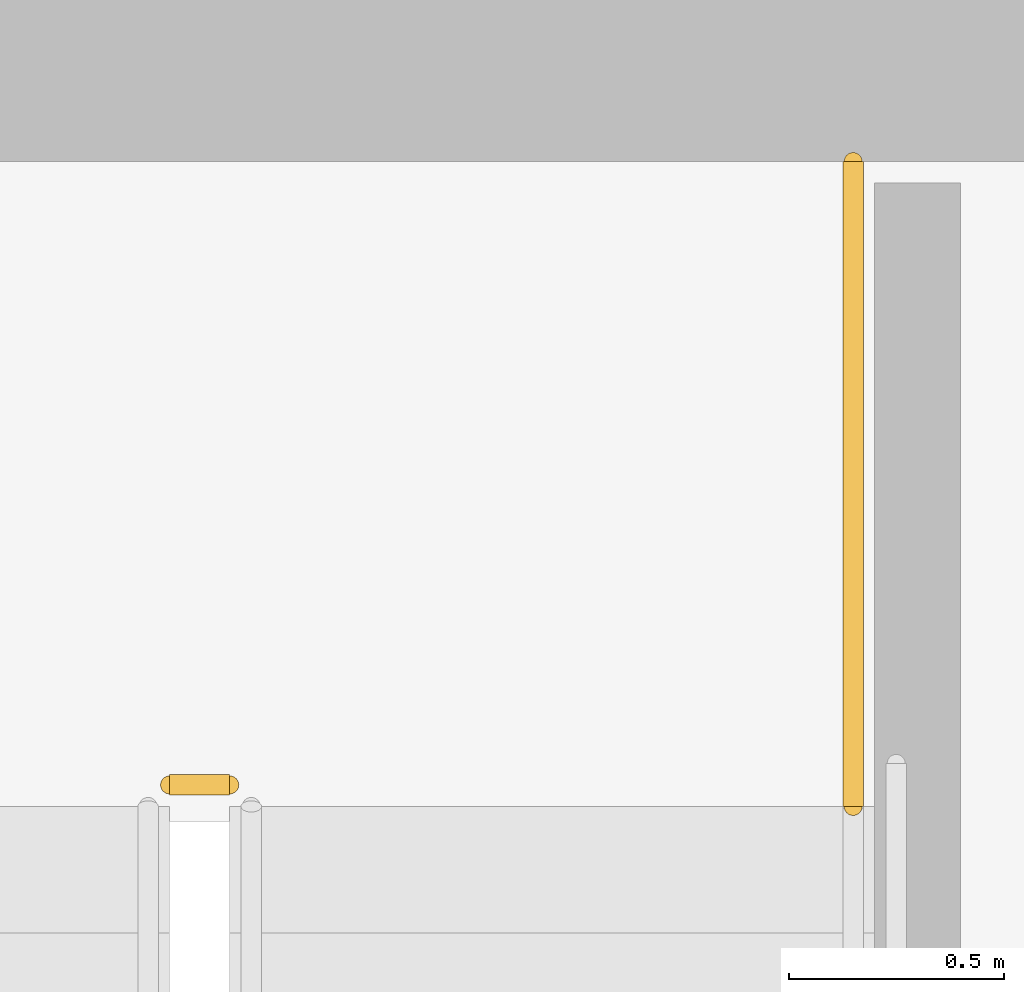
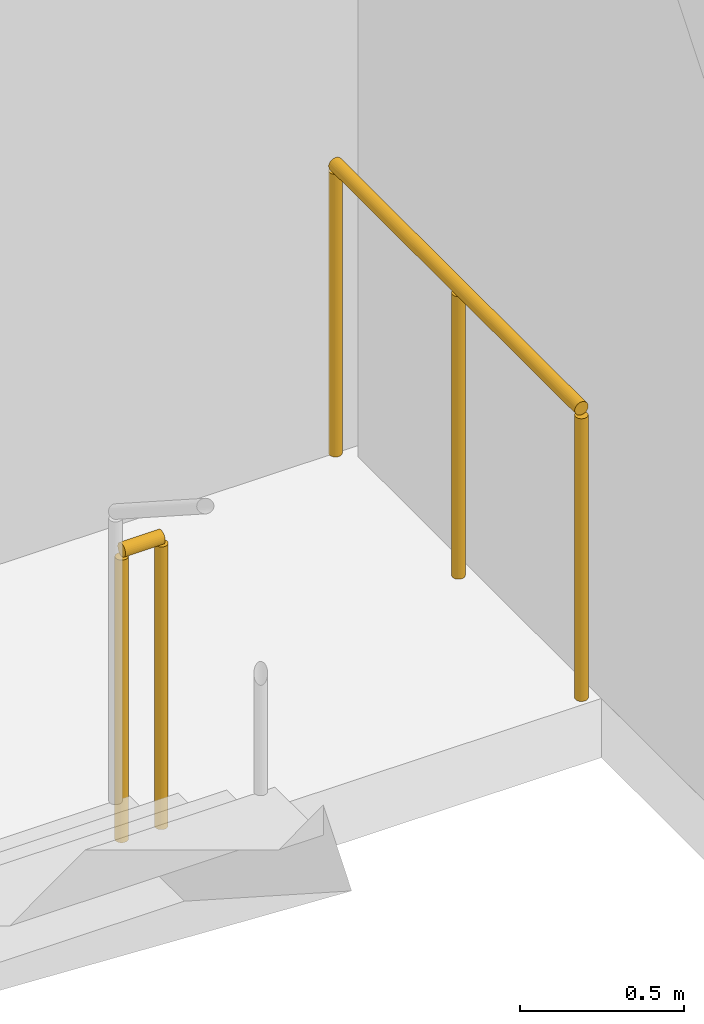
# One storey, part 32 of 32: 2 railings.
"""IFC4 building model written with IfcOpenShell, lengths in metres."""

from ifc_helpers import new_model, si_unit, direction, frame, origin, origin_2d, place, context, subcontext, project, spatial, circle, extrude, material, layer, layer_set, type_object, element, save


model = new_model("IFC4")

# Units and contexts
model_context = context("Model", 3, precision=1e-05, world=origin(), true_north=direction((0.0, 1.0)))
body_context = subcontext(model_context, "Body", "Model", "MODEL_VIEW")
ifc_project = project(units=[si_unit("LENGTHUNIT", "METRE"), si_unit("AREAUNIT", "SQUARE_METRE"), si_unit("VOLUMEUNIT", "CUBIC_METRE"), si_unit("PLANEANGLEUNIT", "RADIAN"), si_unit("MASSUNIT", "GRAM", prefix="KILO")], contexts=[model_context])

# Site, building, storey
site_placement = place(None, origin())
site = spatial("IfcSite", under=ifc_project, at=site_placement, CompositionType="ELEMENT")
building_placement = place(site_placement, origin())
building = spatial("IfcBuilding", under=site, at=building_placement, Name="Ndaravel Arena Tower", CompositionType="ELEMENT")
storey_placement = place(building_placement, frame((0.0, 0.0, 55.0)))
storey = spatial("IfcBuildingStorey", under=building, at=storey_placement, Name="L11", CompositionType="ELEMENT", Elevation=55.0)

# Railings
ifc_material = material(Name="Steel S355", Category="steel")
ifc_layer = layer(ifc_material, 0.06005859375)
ifc_layer_set = layer_set([ifc_layer], Name="Steel S355")
railing_type = type_object("IfcRailingType", Name="RAIL-STAIR-GD1100", PredefinedType="GUARDRAIL", material=ifc_layer_set)
railing_1_placement = place(storey_placement, frame((55.10009765625, 13.300048828125, 0.0)))
element("IfcRailing", 1, at=railing_1_placement, inside=storey, type_object=railing_type, Name="L11 ST-3 stair guard 4", PredefinedType="GUARDRAIL", context=body_context, shape_type="SweptSolid", body=[
    extrude(circle(Radius=0.02392578125, at=origin_2d()), frame((0.0, 0.0, 1.076171875), z_axis=(1.0, 0.0, 0.0), x_axis=(0.0, 1.0, 0.0)), (0.0, 0.0, 1.0), 0.139892578125),
    extrude(circle(Radius=0.02099609375, at=origin_2d()), origin(), (0.0, 0.0, 1.0), 1.052001953125),
    extrude(circle(Radius=0.02099609375, at=origin_2d()), frame((0.139892578125, 0.0, 0.0)), (0.0, 0.0, 1.0), 1.052001953125),
])
railing_2_placement = place(storey_placement, frame((56.68994140625, 14.75, 0.0)))
element("IfcRailing", 2, at=railing_2_placement, inside=storey, type_object=railing_type, Name="L11 ST-3 stair guard 5", PredefinedType="GUARDRAIL", context=body_context, shape_type="SweptSolid", body=[
    extrude(circle(Radius=0.02392578125, at=origin_2d()), frame((0.0, 0.0, 1.076171875), z_axis=(0.0, -1.0, 0.0), x_axis=(1.0, 0.0, 0.0)), (0.0, 0.0, 1.0), 1.5),
    extrude(circle(Radius=0.02099609375, at=origin_2d()), origin(), (0.0, 0.0, 1.0), 1.052001953125),
    extrude(circle(Radius=0.02099609375, at=origin_2d()), frame((0.0, -0.75, 0.0)), (0.0, 0.0, 1.0), 1.052001953125),
    extrude(circle(Radius=0.02099609375, at=origin_2d()), frame((0.0, -1.5, 0.0)), (0.0, 0.0, 1.0), 1.052001953125),
])

save(model, "model.ifc")
